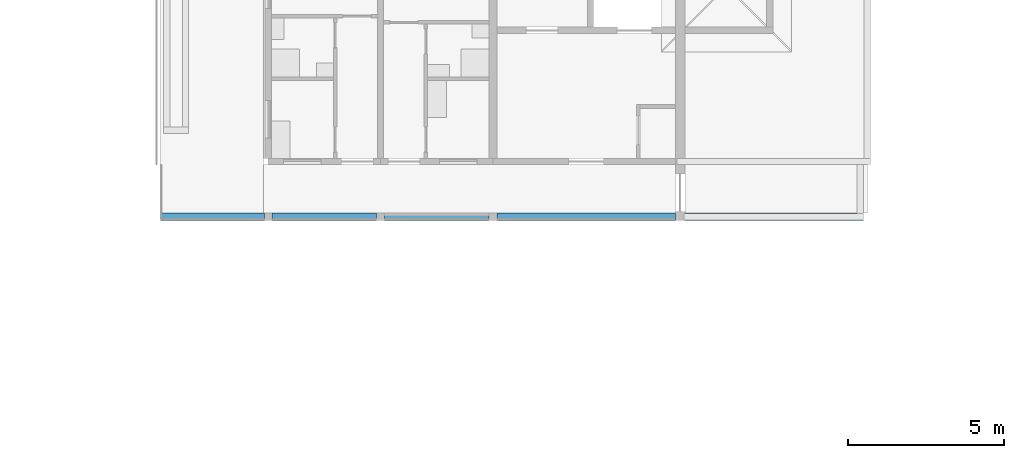
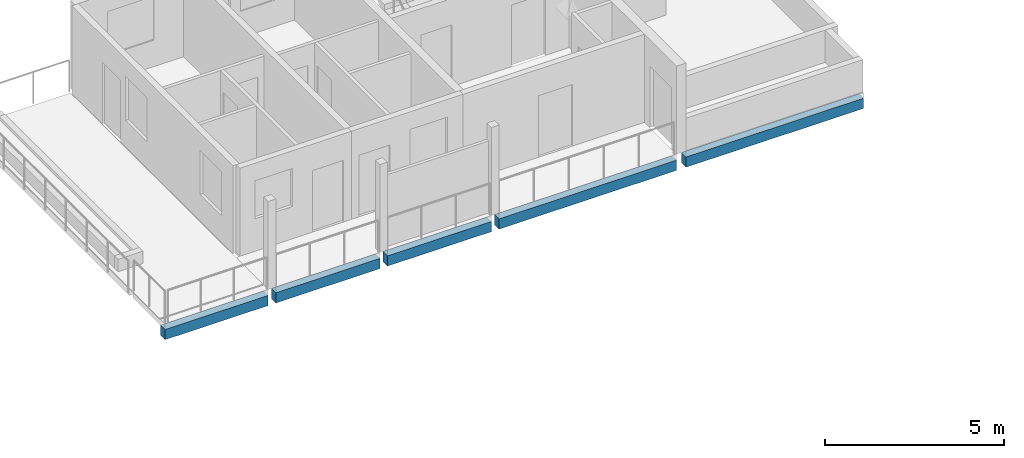
# One storey, part 19 of 78: 5 beams.
"""IFC4 building model written with IfcOpenShell, lengths in metres."""

from ifc_helpers import new_model, si_unit, direction, frame, origin, origin_2d, place, context, subcontext, project, spatial, rectangle, extrude, material, material_profile, profile_set, type_object, element, save


model = new_model("IFC4")

# Units and contexts
model_context = context("Model", 3, precision=1e-05, world=origin(), true_north=direction((0.0, 1.0)))
body_context = subcontext(model_context, "Body", "Model", "MODEL_VIEW")
ifc_project = project(units=[si_unit("LENGTHUNIT", "METRE"), si_unit("AREAUNIT", "SQUARE_METRE"), si_unit("VOLUMEUNIT", "CUBIC_METRE"), si_unit("PLANEANGLEUNIT", "RADIAN"), si_unit("MASSUNIT", "GRAM", prefix="KILO")], contexts=[model_context])

# Site, building, storey
site_placement = place(None, origin())
site = spatial("IfcSite", under=ifc_project, at=site_placement, CompositionType="ELEMENT")
building_placement = place(site_placement, origin())
building = spatial("IfcBuilding", under=site, at=building_placement, Name="Ridgestep Commons", CompositionType="ELEMENT")
storey_placement = place(building_placement, frame((0.0, 0.0, 30.0)))
storey = spatial("IfcBuildingStorey", under=building, at=storey_placement, Name="L10", CompositionType="ELEMENT", Elevation=30.0)

# Beams
ifc_material = material(Name="Precast concrete C40/50", Category="concrete")
ifc_material_profile = material_profile(ifc_material, rectangle(XDim=0.25, YDim=0.35009765625, at=origin_2d()), Name="PC 250x350")
ifc_profile_set = profile_set([ifc_material_profile], Name="Precast concrete C40/50")
beam_type = type_object("IfcBeamType", Name="Loggia edge beam 250 x 350", PredefinedType="SPANDREL", material=ifc_profile_set)
beam_1_placement = place(storey_placement, frame((214.14990234375, 66.125, -0.375), z_axis=(1.0, 0.0, 0.0), x_axis=(0.0, 1.0, 0.0)))
element("IfcBeam", 1, at=beam_1_placement, inside=storey, type_object=beam_type, Name="Loggia edge beam C5T1 L10", PredefinedType="SPANDREL", context=body_context, shape_type="SweptSolid", body=[
    extrude(rectangle(XDim=0.25, YDim=0.35009765625, at=origin_2d()), origin(), (0.0, 0.0, 1.0), 3.3251953125),
])
beam_2_placement = place(storey_placement, frame((217.72509765625, 66.125, -0.375), z_axis=(1.0, 0.0, 0.0), x_axis=(0.0, 1.0, 0.0)))
element("IfcBeam", 2, at=beam_2_placement, inside=storey, type_object=beam_type, Name="Loggia edge beam C5T2 L10", PredefinedType="SPANDREL", context=body_context, shape_type="SweptSolid", body=[
    extrude(rectangle(XDim=0.25, YDim=0.35009765625, at=origin_2d()), origin(), (0.0, 0.0, 1.0), 3.349853515625),
])
beam_3_placement = place(storey_placement, frame((221.324951171875, 66.125, -0.375), z_axis=(1.0, 0.0, 0.0), x_axis=(0.0, 1.0, 0.0)))
element("IfcBeam", 3, at=beam_3_placement, inside=storey, type_object=beam_type, Name="Loggia edge beam C5T3 L10", PredefinedType="SPANDREL", context=body_context, shape_type="SweptSolid", body=[
    extrude(rectangle(XDim=0.25, YDim=0.35009765625, at=origin_2d()), origin(), (0.0, 0.0, 1.0), 3.35009765625),
])
beam_4_placement = place(storey_placement, frame((224.925048828125, 66.125, -0.375), z_axis=(1.0, 0.0, 0.0), x_axis=(0.0, 1.0, 0.0)))
element("IfcBeam", 4, at=beam_4_placement, inside=storey, type_object=beam_type, Name="Loggia edge beam C5C L10", PredefinedType="SPANDREL", context=body_context, shape_type="SweptSolid", body=[
    extrude(rectangle(XDim=0.25, YDim=0.35009765625, at=origin_2d()), origin(), (0.0, 0.0, 1.0), 5.724853515625),
])
beam_5_placement = place(storey_placement, frame((230.949951171875, 66.125, -0.375), z_axis=(1.0, 0.0, 0.0), x_axis=(0.0, 1.0, 0.0)))
element("IfcBeam", 5, at=beam_5_placement, inside=storey, type_object=beam_type, Name="Loggia edge beam C6C L10", PredefinedType="SPANDREL", context=body_context, shape_type="SweptSolid", body=[
    extrude(rectangle(XDim=0.25, YDim=0.35009765625, at=origin_2d()), origin(), (0.0, 0.0, 1.0), 5.72509765625),
])

save(model, "model.ifc")
